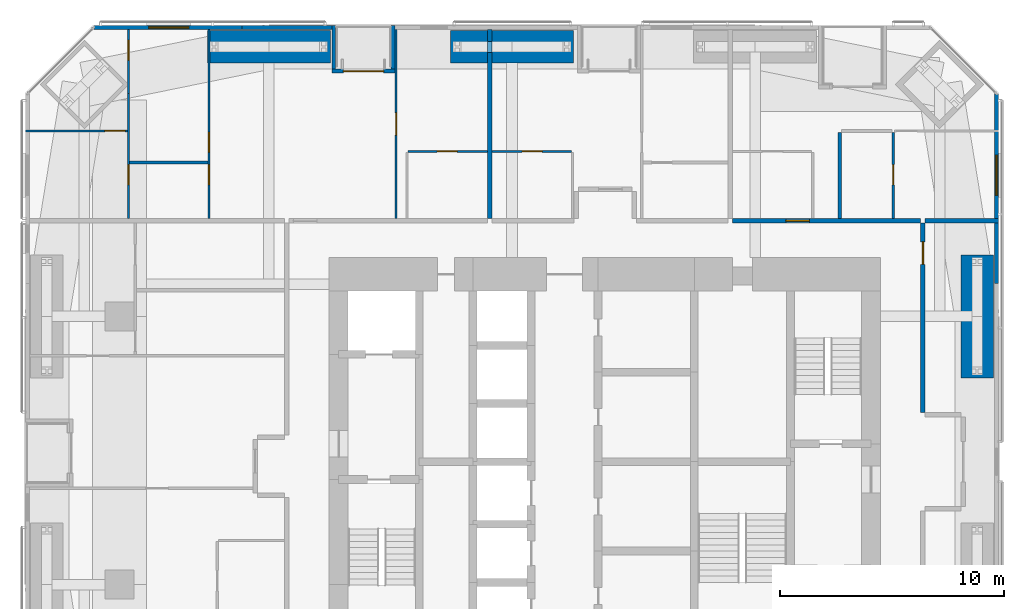
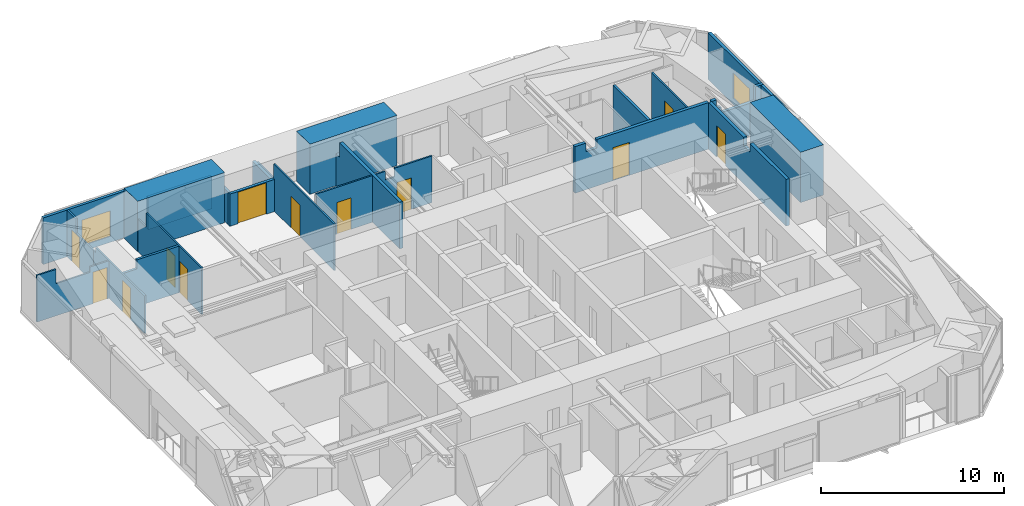
# One storey, part 21 of 23: 23 walls, 12 doors, 2 windows, 14 openings.
"""IFC4 building model written with IfcOpenShell, lengths in metres."""

import ifcopenshell
import ifcopenshell.guid

model = None  # the IFC model being written
_history = None  # IfcOwnerHistory: only IFC2X3 demands one
_inside = {}  # id of a spatial element -> (the spatial element, [elements in it])
_under = {}  # id of a project, library or spatial element -> (it, [spatial elements below it])
_declared = {}  # id of a project -> (the project, [libraries it declares])
_typed = {}  # id of a type object -> (the type object, [elements of that type])
_made_of = {}  # id of a material, layer set ... -> (it, [elements and type objects made of it])


def new_model(schema):
    """Start an empty IFC model of exactly this schema.

    Asked for "IFC4X3", IfcOpenShell would pick the latest addendum, in which some entities
    have other attributes; the version numbers below select the first issue.
    IFC2X3 requires an IfcOwnerHistory on every rooted entity: one is made here for all.
    """
    global model, _history
    if schema == "IFC4X3":
        model = ifcopenshell.file(schema_version=(4, 3, 0, 0))
    else:
        model = ifcopenshell.file(schema=schema)
    _inside.clear()
    _under.clear()
    _declared.clear()
    _typed.clear()
    _made_of.clear()
    _history = None
    if model.schema == "IFC2X3":
        org = make("IfcOrganization", Name="unknown")
        user = make(
            "IfcPersonAndOrganization",
            ThePerson=make("IfcPerson", FamilyName="unknown"),
            TheOrganization=org,
        )
        app = make(
            "IfcApplication",
            ApplicationDeveloper=org,
            Version="unknown",
            ApplicationFullName="unknown",
            ApplicationIdentifier="unknown",
        )
        _history = make(
            "IfcOwnerHistory",
            OwningUser=user,
            OwningApplication=app,
            ChangeAction="ADDED",
            CreationDate=0,
        )
    return model


def make(cls, **values):
    """One entity of the class cls with the attributes given. An attribute that is None is left unset."""
    return model.create_entity(
        cls, **{name: value for name, value in values.items() if value is not None}
    )


def rooted(cls, **values):
    """An entity with a GlobalId (a new one), such as an element, a storey or a relation."""
    return make(cls, GlobalId=ifcopenshell.guid.new(), OwnerHistory=_history, **values)


def si_unit(unit_type, name, prefix=None):
    """IfcSIUnit, for example si_unit("LENGTHUNIT", "METRE", prefix="MILLI")."""
    return make("IfcSIUnit", UnitType=unit_type, Prefix=prefix, Name=name)


def assignment(units):
    """IfcUnitAssignment: the units of a project."""
    return None if units is None else make("IfcUnitAssignment", Units=units)


def point(xyz):
    """IfcCartesianPoint."""
    return None if xyz is None else make("IfcCartesianPoint", Coordinates=xyz)


def direction(xyz):
    """IfcDirection."""
    return None if xyz is None else make("IfcDirection", DirectionRatios=xyz)


def frame(location, z_axis=None, x_axis=None):
    """IfcAxis2Placement3D, a coordinate frame: its origin and axes. An axis left out is left unset."""
    return make(
        "IfcAxis2Placement3D",
        Location=point(location),
        Axis=direction(z_axis),
        RefDirection=direction(x_axis),
    )


def frame_2d(location, x_axis=None):
    """IfcAxis2Placement2D, a coordinate frame in the plane: its origin and x axis."""
    return make(
        "IfcAxis2Placement2D", Location=point(location), RefDirection=direction(x_axis)
    )


def origin():
    """The frame at (0, 0, 0) with its axes left unset."""
    return frame((0.0, 0.0, 0.0))


def place(relative_to, where):
    """IfcLocalPlacement: puts the frame where relative to a parent placement (None: the world)."""
    return make(
        "IfcLocalPlacement", PlacementRelTo=relative_to, RelativePlacement=where
    )


def context(
    kind, dimensions, precision=None, world=None, true_north=None, identifier=None
):
    """IfcGeometricRepresentationContext, for example the 3D "Model" context."""
    return make(
        "IfcGeometricRepresentationContext",
        ContextIdentifier=identifier,
        ContextType=kind,
        CoordinateSpaceDimension=dimensions,
        Precision=precision,
        WorldCoordinateSystem=world,
        TrueNorth=true_north,
    )


def subcontext(parent, identifier, kind, view, scale=None):
    """IfcGeometricRepresentationSubContext, for example "Body" below "Model"."""
    return make(
        "IfcGeometricRepresentationSubContext",
        ContextIdentifier=identifier,
        ContextType=kind,
        ParentContext=parent,
        TargetScale=scale,
        TargetView=view,
    )


def project(units=None, contexts=None):
    """IfcProject with its units and contexts."""
    return rooted(
        "IfcProject",
        Name="project",
        RepresentationContexts=contexts,
        UnitsInContext=assignment(units),
    )


def spatial(cls, under=None, at=None, **own):
    """A site, building, storey or space (cls), placed at a placement, below another one or the project."""
    s = rooted(cls, ObjectPlacement=at, **own)
    if under is not None:
        _under.setdefault(under.id(), (under, []))[1].append(s)
    return s


def polyline(points):
    """IfcPolyline through the points."""
    return make("IfcPolyline", Points=[point(p) for p in points])


def profile(cls, at=None, kind="AREA", **sizes):
    """A parametric profile (cls). Its sizes go by their IFC names, for example OverallWidth=200.0."""
    return make(cls, ProfileType=kind, Position=at, **sizes)


def rectangle(**sizes):
    """IfcRectangleProfileDef."""
    return profile("IfcRectangleProfileDef", **sizes)


def outline(outer, holes=None, kind="AREA"):
    """IfcArbitraryClosedProfileDef: a profile drawn as a closed curve; with holes, ...WithVoids."""
    if holes is None:
        return make("IfcArbitraryClosedProfileDef", ProfileType=kind, OuterCurve=outer)
    return make(
        "IfcArbitraryProfileDefWithVoids",
        ProfileType=kind,
        OuterCurve=outer,
        InnerCurves=holes,
    )


def extrude(swept, where, along, depth):
    """IfcExtrudedAreaSolid: the profile swept, set in the frame where, extruded along a direction by depth."""
    return make(
        "IfcExtrudedAreaSolid",
        SweptArea=swept,
        Position=where,
        ExtrudedDirection=direction(along),
        Depth=depth,
    )


def shape(context_of_items, identifier, shape_type, items):
    """IfcShapeRepresentation: the items that make up one representation, for example the "Body"."""
    return make(
        "IfcShapeRepresentation",
        ContextOfItems=context_of_items,
        RepresentationIdentifier=identifier,
        RepresentationType=shape_type,
        Items=items,
    )


def material(Name=None, Category=None):
    """IfcMaterial."""
    return make("IfcMaterial", Name=Name, Category=Category)


def layer(
    of_material, thickness, ventilated=None, Name=None, Category=None, Priority=None
):
    """IfcMaterialLayer: one layer of a wall or slab, of a material (None: an air gap)."""
    return make(
        "IfcMaterialLayer",
        Material=of_material,
        LayerThickness=thickness,
        IsVentilated=ventilated,
        Name=Name,
        Category=Category,
        Priority=Priority,
    )


def layer_set(layers, Name=None):
    """IfcMaterialLayerSet."""
    return make("IfcMaterialLayerSet", MaterialLayers=layers, LayerSetName=Name)


def constituent(of_material, Name=None, Category=None, fraction=None):
    """IfcMaterialConstituent: one of the materials an element consists of."""
    return make(
        "IfcMaterialConstituent",
        Name=Name,
        Material=of_material,
        Fraction=fraction,
        Category=Category,
    )


def constituent_set(constituents=None, Name=None):
    """IfcMaterialConstituentSet."""
    return make(
        "IfcMaterialConstituentSet", Name=Name, MaterialConstituents=constituents
    )


def made_of(thing, what):
    """Note that an element or type object is made of a material, layer set ...; save() writes the relation."""
    if what is not None:
        _made_of.setdefault(what.id(), (what, []))[1].append(thing)
    return thing


def type_object(cls, material=None, **own):
    """A type object (cls), such as IfcWallType, which elements share."""
    return made_of(rooted(cls, **own), material)


def element(
    cls,
    number,
    at=None,
    inside=None,
    cuts=None,
    type_object=None,
    material=None,
    context=None,
    identifier="Body",
    shape_type=None,
    held_by="IfcProductDefinitionShape",
    body=None,
    shapes=None,
    **own,
):
    """One element of the class cls, such as IfcWall. Its Tag is "e" and its number.

    at: its placement. inside: the storey or other place that contains it. cuts: it is an
    opening in that element (IfcRelVoidsElement). A single representation is given by context,
    identifier, shape_type and body (its items); several are given by shapes. held_by: the class
    of the entity that holds the representations. save() writes the other relations.
    """
    e = rooted(cls, Tag="e%d" % number, ObjectPlacement=at, **own)
    if body is not None:
        shapes = [shape(context, identifier, shape_type, body)]
    if shapes is not None:
        e.Representation = make(held_by, Representations=shapes)
    if inside is not None:
        _inside.setdefault(inside.id(), (inside, []))[1].append(e)
    if cuts is not None:
        rooted(
            "IfcRelVoidsElement", RelatingBuildingElement=cuts, RelatedOpeningElement=e
        )
    if type_object is not None:
        _typed.setdefault(type_object.id(), (type_object, []))[1].append(e)
    return made_of(e, material)


def fill(opening, filler):
    """IfcRelFillsElement: the door or window that sits in an opening."""
    return rooted(
        "IfcRelFillsElement",
        RelatingOpeningElement=opening,
        RelatedBuildingElement=filler,
    )


def aggregate(whole, parts):
    """IfcRelAggregates: a whole, such as a stair, and the parts it consists of."""
    return rooted("IfcRelAggregates", RelatingObject=whole, RelatedObjects=parts)


def save(model, path):
    """Write the relations noted so far, then the file.

    IfcRelAggregates (storeys below a building ...), IfcRelContainedInSpatialStructure (elements
    in a storey), IfcRelDefinesByType, IfcRelAssociatesMaterial and IfcRelDeclares: one each for
    every whole, place, type object, material and project.
    """
    for whole, parts in _under.values():
        aggregate(whole, parts)
    for where, things in _inside.values():
        rooted(
            "IfcRelContainedInSpatialStructure",
            RelatedElements=things,
            RelatingStructure=where,
        )
    for kind, things in _typed.values():
        rooted("IfcRelDefinesByType", RelatedObjects=things, RelatingType=kind)
    for what, things in _made_of.values():
        rooted("IfcRelAssociatesMaterial", RelatedObjects=things, RelatingMaterial=what)
    for by, libraries in _declared.values():
        rooted("IfcRelDeclares", RelatingContext=by, RelatedDefinitions=libraries)
    model.write(path)


model = new_model("IFC4")

# Units and contexts
model_context = context("Model", 3, precision=1e-05, world=origin(), true_north=direction((0.0, 1.0)))
body_context = subcontext(model_context, "Body", "Model", "MODEL_VIEW")
ifc_project = project(units=[si_unit("LENGTHUNIT", "METRE"), si_unit("AREAUNIT", "SQUARE_METRE"), si_unit("VOLUMEUNIT", "CUBIC_METRE"), si_unit("PLANEANGLEUNIT", "RADIAN"), si_unit("MASSUNIT", "GRAM", prefix="KILO")], contexts=[model_context])

# Site, building, storey
site_placement = place(None, origin())
site = spatial("IfcSite", under=ifc_project, at=site_placement, CompositionType="ELEMENT")
building_placement = place(site_placement, origin())
building = spatial("IfcBuilding", under=site, at=building_placement, Name="Jalousie Tower", CompositionType="ELEMENT")
storey_placement = place(building_placement, frame((0.0, 0.0, 84.75)))
storey = spatial("IfcBuildingStorey", under=building, at=storey_placement, Name="L22", CompositionType="ELEMENT", Elevation=84.75)

# Walls
ifc_material_1 = material(Name="Concrete block ASTM C90", Category="concrete")
ifc_constituent_1 = constituent(ifc_material_1, Name="Body")
ifc_material_2 = material(Name="Render")
ifc_constituent_2 = constituent(ifc_material_2, Name="Finish")
ifc_constituent_set_1 = constituent_set(constituents=[ifc_constituent_1, ifc_constituent_2])
wall_type_1 = type_object("IfcWallType", Name="BATHROOM WALL 150", PredefinedType="PLUMBINGWALL", material=ifc_constituent_set_1)
wall_1_placement = place(storey_placement, frame((10.64990234375, 31.875, 0.0), z_axis=(0.0, 0.0, 1.0), x_axis=(1.0, 0.0, 0.0)))
element("IfcWall", 1, at=wall_1_placement, inside=storey, type_object=wall_type_1, Name="Bathroom Wall 150 L22", PredefinedType="PLUMBINGWALL", context=body_context, shape_type="SweptSolid", body=[
    extrude(outline(polyline([(0.0, 0.0), (3.5, 0.0), (3.5, 3.110107421875), (0.8349609375, 3.110107421875), (0.8349609375, 2.510009765625), (0.0, 2.510009765625), (0.0, 3.110107421875), (0.0, 0.0)])), frame((0.0, 0.074951171875, 0.0), z_axis=(0.0, -1.0, 0.0), x_axis=(1.0, 0.0, 0.0)), (0.0, 0.0, 1.0), 0.14990234375),
])
wall_2_placement = place(storey_placement, frame((42.39990234375, 33.213623046875, 0.0), z_axis=(0.0, 0.0, 1.0), x_axis=(0.0, -1.0, 0.0)))
element("IfcWall", 2, at=wall_2_placement, inside=storey, type_object=wall_type_1, Name="Bathroom Wall 150 L22", PredefinedType="PLUMBINGWALL", context=body_context, shape_type="SweptSolid", body=[
    extrude(rectangle(XDim=3.838623046875, YDim=0.14990234375, at=frame_2d((1.91943359375, 0.0))), origin(), (0.0, 0.0, 1.0), 3.110107421875),
])

# Wall, opening, door
ifc_material_3 = material(Name="Concrete block ASTM C90", Category="concrete")
ifc_constituent_3 = constituent(ifc_material_3, Name="Body")
ifc_material_4 = material(Name="Render")
ifc_constituent_4 = constituent(ifc_material_4, Name="Finish")
ifc_constituent_set_2 = constituent_set(constituents=[ifc_constituent_3, ifc_constituent_4])
wall_type_2 = type_object("IfcWallType", Name="CORRIDOR WALL 200", PredefinedType="PARTITIONING", material=ifc_constituent_set_2)
wall_3_placement = place(storey_placement, frame((37.60009765625, 29.27490234375, 0.0), z_axis=(0.0, 0.0, 1.0), x_axis=(1.0, 0.0, 0.0)))
wall_3 = element("IfcWall", 3, at=wall_3_placement, inside=storey, type_object=wall_type_2, Name="Corridor Wall 200 L22", PredefinedType="PARTITIONING", context=body_context, shape_type="SweptSolid", body=[
    extrude(outline(polyline([(0.0, 0.0), (8.4248046875, 0.0), (8.425048828125, 3.110107421875), (1.37109375, 3.110107421875), (1.37109375, 2.531005859375), (0.6787109375, 2.531005859375), (0.6787109375, 3.110107421875), (0.0, 3.110107421875), (0.0, 0.0)])), frame((0.0, 0.10009765625, 0.0), z_axis=(0.0, -1.0, 0.0), x_axis=(1.0, 0.0, 0.0)), (0.0, 0.0, 1.0), 0.199951171875),
])
opening_1_placement = place(wall_3_placement, frame((2.39990234375, 0.0, 0.0)))
opening_1 = element("IfcOpeningElement", 4, at=opening_1_placement, cuts=wall_3, Name="Opening D1", PredefinedType="OPENING", context=body_context, shape_type="SweptSolid", body=[
    extrude(rectangle(XDim=1.050048828125, YDim=2.199951171875, at=frame_2d((0.52490234375, 1.10009765625))), frame((0.0, 0.10986328125, 0.0), z_axis=(0.0, -1.0, 0.0), x_axis=(1.0, 0.0, 0.0)), (0.0, 0.0, 1.0), 0.219970703125),
])
ifc_material_5 = material(Name="Timber fire door", Category="wood")
door_type_1 = type_object("IfcDoorType", Name="APARTMENT ENTRANCE DOOR 1050", OperationType="SINGLE_SWING_LEFT", PredefinedType="DOOR", material=ifc_material_5)
door_1_placement = place(opening_1_placement, origin())
door_1 = element("IfcDoor", 5, at=door_1_placement, inside=storey, type_object=door_type_1, Name="Apartment 2206 entrance", OperationType="SINGLE_SWING_RIGHT", OverallHeight=2.199951171875, OverallWidth=1.050048828125, PredefinedType="DOOR", context=body_context, shape_type="SweptSolid", body=[
    extrude(rectangle(XDim=1.050048828125, YDim=2.199951171875, at=frame_2d((0.52490234375, 1.10009765625))), frame((0.0, 0.02490234375, 0.0), z_axis=(0.0, -1.0, 0.0), x_axis=(1.0, 0.0, 0.0)), (0.0, 0.0, 1.0), 0.050048828125),
])
fill(opening_1, door_1)

wall_4_placement = place(storey_placement, frame((46.125, 20.699951171875, 0.0), z_axis=(0.0, 0.0, 1.0), x_axis=(0.0, 1.0, 0.0)))
wall_4 = element("IfcWall", 6, at=wall_4_placement, inside=storey, type_object=wall_type_2, Name="Corridor Wall 200 L22", PredefinedType="PARTITIONING", context=body_context, shape_type="SweptSolid", body=[
    extrude(outline(polyline([(0.0, 0.0), (8.47509765625, 0.0), (8.47509765625, 3.110107421875), (4.646240234375, 3.110107421875), (4.646240234375, 2.531005859375), (3.953857421875, 2.531005859375), (3.953857421875, 3.110107421875), (0.0, 3.110107421875), (0.0, 0.0)])), frame((0.0, 0.10009765625, 0.0), z_axis=(0.0, -1.0, 0.0), x_axis=(1.0, 0.0, 0.0)), (0.0, 0.0, 1.0), 0.199951171875),
])
opening_2_placement = place(wall_4_placement, frame((6.625, 0.0, 0.0)))
opening_2 = element("IfcOpeningElement", 7, at=opening_2_placement, cuts=wall_4, Name="Opening D21", PredefinedType="OPENING", context=body_context, shape_type="SweptSolid", body=[
    extrude(rectangle(XDim=1.0, YDim=2.10009765625, at=frame_2d((0.5, 1.050048828125))), frame((0.0, 0.10986328125, 0.0), z_axis=(0.0, -1.0, 0.0), x_axis=(1.0, 0.0, 0.0)), (0.0, 0.0, 1.0), 0.219970703125),
])
ifc_material_6 = material(Name="Timber fire door", Category="wood")
door_type_2 = type_object("IfcDoorType", Name="CORRIDOR DOOR 1000", OperationType="SINGLE_SWING_LEFT", PredefinedType="DOOR", material=ifc_material_6)
door_2_placement = place(opening_2_placement, frame((1.0, 0.0, 0.0), z_axis=(0.0, 0.0, 1.0), x_axis=(-1.0, 0.0, 0.0)))
door_2 = element("IfcDoor", 8, at=door_2_placement, inside=storey, type_object=door_type_2, Name="Lounge second door", OperationType="SINGLE_SWING_LEFT", OverallHeight=2.10009765625, OverallWidth=1.0, PredefinedType="DOOR", context=body_context, shape_type="SweptSolid", body=[
    extrude(rectangle(XDim=1.0, YDim=2.10009765625, at=frame_2d((0.5, 1.050048828125))), frame((0.0, 0.02490234375, 0.0), z_axis=(0.0, -1.0, 0.0), x_axis=(1.0, 0.0, 0.0)), (0.0, 0.0, 1.0), 0.050048828125),
])
fill(opening_2, door_2)

# Wall, opening, window
ifc_material_7 = material(Name="Concrete f'c 40 MPa", Category="concrete")
ifc_constituent_5 = constituent(ifc_material_7, Name="Body")
ifc_material_8 = material(Name="Render, pastel sea green")
ifc_constituent_6 = constituent(ifc_material_8, Name="Finish")
ifc_constituent_set_3 = constituent_set(constituents=[ifc_constituent_5, ifc_constituent_6])
wall_type_3 = type_object("IfcWallType", Name="EXTERNAL WALL 175 SEA GREEN RENDER", PredefinedType="SOLIDWALL", material=ifc_constituent_set_3)
wall_5_placement = place(storey_placement, frame((49.41259765625, 26.468017578125, 0.0), z_axis=(0.0, 0.0, 1.0), x_axis=(0.0, 1.0, 0.0)))
wall_5 = element("IfcWall", 9, at=wall_5_placement, inside=storey, type_object=wall_type_3, Name="External Wall 175 Sea Green Render L22-C", PredefinedType="SOLIDWALL", context=body_context, shape_type="SweptSolid", body=[
    extrude(rectangle(XDim=8.480712890625, YDim=0.175048828125, at=frame_2d((4.240234375, 0.0))), origin(), (0.0, 0.0, 1.0), 3.110107421875),
])
opening_3_placement = place(wall_5_placement, frame((3.938720703125, 0.0, 0.39990234375)))
opening_3 = element("IfcOpeningElement", 10, at=opening_3_placement, cuts=wall_5, Name="Opening W-BED170", PredefinedType="OPENING", context=body_context, shape_type="SweptSolid", body=[
    extrude(rectangle(XDim=1.800048828125, YDim=1.699951171875, at=frame_2d((0.89990234375, 0.85009765625))), frame((0.0, 0.097412109375, 0.0), z_axis=(0.0, -1.0, 0.0), x_axis=(1.0, 0.0, 0.0)), (0.0, 0.0, 1.0), 0.195068359375),
])
ifc_material_9 = material(Name="Aluminium frame, impact-rated glazing", Category="aluminium")
window_type = type_object("IfcWindowType", Name="WINDOW BED 1800x1700", PartitioningType="SINGLE_PANEL", PredefinedType="WINDOW", material=ifc_material_9)
window_1_placement = place(opening_3_placement, origin())
window_1 = element("IfcWindow", 11, at=window_1_placement, inside=storey, type_object=window_type, Name="Apartment 2206 bedroom 1 window", OverallHeight=1.699951171875, OverallWidth=1.800048828125, PartitioningType="SINGLE_PANEL", PredefinedType="WINDOW", context=body_context, shape_type="SweptSolid", body=[
    extrude(rectangle(XDim=1.800048828125, YDim=1.699951171875, at=frame_2d((0.89990234375, 0.85009765625))), frame((0.0, 0.030029296875, 0.0), z_axis=(0.0, -1.0, 0.0), x_axis=(1.0, 0.0, 0.0)), (0.0, 0.0, 1.0), 0.06005859375),
])
fill(opening_3, window_1)

# Wall
wall_6_placement = place(storey_placement, frame((19.692138671875, 37.91259765625, 0.0), z_axis=(0.0, 0.0, 1.0), x_axis=(-1.0, 0.0, 0.0)))
element("IfcWall", 12, at=wall_6_placement, inside=storey, type_object=wall_type_3, Name="External Wall 175 Sea Green Render L22-A", PredefinedType="SOLIDWALL", context=body_context, shape_type="SweptSolid", body=[
    extrude(rectangle(XDim=4.021240234375, YDim=0.175048828125, at=frame_2d((2.0107421875, 0.0))), origin(), (0.0, 0.0, 1.0), 2.14990234375),
])

# Wall, opening, window
wall_7_placement = place(storey_placement, frame((15.6708984375, 37.91259765625, 0.0), z_axis=(0.0, 0.0, 1.0), x_axis=(-1.0, 0.0, 0.0)))
wall_7 = element("IfcWall", 13, at=wall_7_placement, inside=storey, type_object=wall_type_3, Name="External Wall 175 Sea Green Render L22-B", PredefinedType="SOLIDWALL", context=body_context, shape_type="SweptSolid", body=[
    extrude(rectangle(XDim=6.61962890625, YDim=0.175048828125, at=frame_2d((3.309814453125, 0.0))), origin(), (0.0, 0.0, 1.0), 3.110107421875),
])
opening_4_placement = place(wall_7_placement, frame((2.370849609375, 0.0, 0.39990234375)))
opening_4 = element("IfcOpeningElement", 14, at=opening_4_placement, cuts=wall_7, Name="Opening W-BED170", PredefinedType="OPENING", context=body_context, shape_type="SweptSolid", body=[
    extrude(rectangle(XDim=1.800048828125, YDim=1.699951171875, at=frame_2d((0.89990234375, 0.85009765625))), frame((0.0, 0.097412109375, 0.0), z_axis=(0.0, -1.0, 0.0), x_axis=(1.0, 0.0, 0.0)), (0.0, 0.0, 1.0), 0.195068359375),
])
window_2_placement = place(opening_4_placement, origin())
window_2 = element("IfcWindow", 15, at=window_2_placement, inside=storey, type_object=window_type, Name="Apartment 2204 bedroom 2 window", OverallHeight=1.699951171875, OverallWidth=1.800048828125, PartitioningType="SINGLE_PANEL", PredefinedType="WINDOW", context=body_context, shape_type="SweptSolid", body=[
    extrude(rectangle(XDim=1.800048828125, YDim=1.699951171875, at=frame_2d((0.89990234375, 0.85009765625))), frame((0.0, 0.030029296875, 0.0), z_axis=(0.0, -1.0, 0.0), x_axis=(1.0, 0.0, 0.0)), (0.0, 0.0, 1.0), 0.06005859375),
])
fill(opening_4, window_2)

# Wall, opening, door
wall_8_placement = place(storey_placement, frame((22.51708984375, 35.96240234375, 0.0), z_axis=(0.0, 0.0, 1.0), x_axis=(-1.0, 0.0, 0.0)))
wall_8 = element("IfcWall", 16, at=wall_8_placement, inside=storey, type_object=wall_type_3, Name="External Wall 175 Sea Green Render L22", PredefinedType="SOLIDWALL", context=body_context, shape_type="SweptSolid", body=[
    extrude(rectangle(XDim=2.824951171875, YDim=0.175048828125, at=frame_2d((1.41259765625, 0.0))), origin(), (0.0, 0.0, 1.0), 2.14990234375),
])
opening_5_placement = place(wall_8_placement, frame((0.512451171875, 0.0, 0.0)))
opening_5 = element("IfcOpeningElement", 17, at=opening_5_placement, cuts=wall_8, Name="Opening D-BAL21", PredefinedType="OPENING", context=body_context, shape_type="SweptSolid", body=[
    extrude(rectangle(XDim=1.800048828125, YDim=2.10009765625, at=frame_2d((0.89990234375, 1.050048828125))), frame((0.0, 0.097412109375, 0.0), z_axis=(0.0, -1.0, 0.0), x_axis=(1.0, 0.0, 0.0)), (0.0, 0.0, 1.0), 0.195068359375),
])
ifc_material_10 = material(Name="Aluminium frame, impact-rated glazing", Category="aluminium")
door_type_3 = type_object("IfcDoorType", Name="BALCONY DOOR 1800x2100", OperationType="SLIDING_TO_LEFT", PredefinedType="DOOR", material=ifc_material_10)
door_3_placement = place(opening_5_placement, origin())
door_3 = element("IfcDoor", 18, at=door_3_placement, inside=storey, type_object=door_type_3, Name="Apartment 2204 living room loggia door", OperationType="SLIDING_TO_LEFT", OverallHeight=2.10009765625, OverallWidth=1.800048828125, PredefinedType="DOOR", context=body_context, shape_type="SweptSolid", body=[
    extrude(rectangle(XDim=1.800048828125, YDim=2.10009765625, at=frame_2d((0.89990234375, 1.050048828125))), frame((0.0, 0.02490234375, 0.0), z_axis=(0.0, -1.0, 0.0), x_axis=(1.0, 0.0, 0.0)), (0.0, 0.0, 1.0), 0.050048828125),
])
fill(opening_5, door_3)

# Walls
for number, where, z_axis, x_axis, name in (
    (19, (22.4296875, 38.0, 0.0), (0.0, 0.0, 1.0), (0.0, -1.0, 0.0), "External Wall 175 Sea Green Render L22"),
    (20, (19.77978515625, 38.0, 0.0), (0.0, 0.0, 1.0), (0.0, -1.0, 0.0), "External Wall 175 Sea Green Render L22"),
):
    element("IfcWall", number, at=place(storey_placement, frame(where, z_axis=z_axis, x_axis=x_axis)), inside=storey, type_object=wall_type_3, Name=name, PredefinedType="SOLIDWALL", context=body_context, shape_type="SweptSolid", body=[
        extrude(rectangle(XDim=1.949951171875, YDim=0.175048828125, at=frame_2d((0.97509765625, 0.0))), origin(), (0.0, 0.0, 1.0), 2.14990234375),
    ])

# Wall, opening, door
ifc_material_11 = material(Name="Gypsum board", Category="gypsum")
ifc_constituent_7 = constituent(ifc_material_11, Name="Body")
ifc_material_12 = material(Name="Light-gauge steel studs ASTM A653 SS Grade 33", Category="steel")
ifc_constituent_8 = constituent(ifc_material_12, Name="Framing")
ifc_constituent_set_4 = constituent_set(constituents=[ifc_constituent_7, ifc_constituent_8])
wall_type_4 = type_object("IfcWallType", Name="PARTITION 100", PredefinedType="PARTITIONING", material=ifc_constituent_set_4)
wall_9_placement = place(storey_placement, frame((10.60009765625, 37.824951171875, 0.0), z_axis=(0.0, 0.0, 1.0), x_axis=(0.0, -1.0, 0.0)))
wall_9 = element("IfcWall", 21, at=wall_9_placement, inside=storey, type_object=wall_type_4, Name="Partition 100 L22-A", PredefinedType="PARTITIONING", context=body_context, shape_type="SweptSolid", body=[
    extrude(outline(polyline([(0.97314453125, 2.14990234375), (0.97314453125, 3.110107421875), (0.0, 3.110107421875), (0.0, 0.0), (2.286376953125, 0.0), (2.286376953125, 0.05078125), (2.536376953125, 0.05078125), (2.536376953125, 0.0), (2.86767578125, 0.0), (2.86767578125, 2.14990234375), (0.97314453125, 2.14990234375)])), frame((0.0, 0.050048828125, 0.0), z_axis=(0.0, -1.0, 0.0), x_axis=(1.0, 0.0, 0.0)), (0.0, 0.0, 1.0), 0.10009765625),
])
opening_6_placement = place(wall_9_placement, frame((0.486328125, 0.0, 0.0)))
opening_6 = element("IfcOpeningElement", 22, at=opening_6_placement, cuts=wall_9, Name="Opening D2", PredefinedType="OPENING", context=body_context, shape_type="SweptSolid", body=[
    extrude(rectangle(XDim=0.89990234375, YDim=2.10009765625, at=frame_2d((0.449951171875, 1.050048828125))), frame((0.0, 0.06005859375, 0.0), z_axis=(0.0, -1.0, 0.0), x_axis=(1.0, 0.0, 0.0)), (0.0, 0.0, 1.0), 0.1201171875),
])
ifc_material_13 = material(Name="Timber door", Category="wood")
door_type_4 = type_object("IfcDoorType", Name="BEDROOM DOOR 900", OperationType="SINGLE_SWING_LEFT", PredefinedType="DOOR", material=ifc_material_13)
door_4_placement = place(opening_6_placement, origin())
door_4 = element("IfcDoor", 23, at=door_4_placement, inside=storey, type_object=door_type_4, Name="Apartment 2204 bedroom 1 door", OperationType="SINGLE_SWING_LEFT", OverallHeight=2.10009765625, OverallWidth=0.89990234375, PredefinedType="DOOR", context=body_context, shape_type="SweptSolid", body=[
    extrude(rectangle(XDim=0.89990234375, YDim=2.10009765625, at=frame_2d((0.449951171875, 1.050048828125))), frame((0.0, 0.02490234375, 0.0), z_axis=(0.0, -1.0, 0.0), x_axis=(1.0, 0.0, 0.0)), (0.0, 0.0, 1.0), 0.050048828125),
])
fill(opening_6, door_4)

wall_10_placement = place(storey_placement, frame((10.60009765625, 34.957275390625, 0.0), z_axis=(0.0, 0.0, 1.0), x_axis=(0.0, -1.0, 0.0)))
wall_10 = element("IfcWall", 24, at=wall_10_placement, inside=storey, type_object=wall_type_4, Name="Partition 100 L22-B", PredefinedType="PARTITIONING", context=body_context, shape_type="SweptSolid", body=[
    extrude(outline(polyline([(0.0, 0.0), (5.582275390625, 0.0), (5.582275390625, 2.510009765625), (0.26904296875, 2.510009765625), (0.26904296875, 2.14990234375), (0.0, 2.14990234375), (0.0, 0.0)])), frame((0.0, 0.050048828125, 0.0), z_axis=(0.0, -1.0, 0.0), x_axis=(1.0, 0.0, 0.0)), (0.0, 0.0, 1.0), 0.10009765625),
])
opening_7_placement = place(wall_10_placement, frame((3.17529296875, 0.0, 0.0)))
opening_7 = element("IfcOpeningElement", 25, at=opening_7_placement, cuts=wall_10, Name="Opening D3", PredefinedType="OPENING", context=body_context, shape_type="SweptSolid", body=[
    extrude(rectangle(XDim=0.89990234375, YDim=2.10009765625, at=frame_2d((0.449951171875, 1.050048828125))), frame((0.0, 0.06005859375, 0.0), z_axis=(0.0, -1.0, 0.0), x_axis=(1.0, 0.0, 0.0)), (0.0, 0.0, 1.0), 0.1201171875),
])
ifc_material_14 = material(Name="Timber door", Category="wood")
door_type_5 = type_object("IfcDoorType", Name="BATHROOM DOOR 900", OperationType="SINGLE_SWING_LEFT", PredefinedType="DOOR", material=ifc_material_14)
door_5_placement = place(opening_7_placement, origin())
door_5 = element("IfcDoor", 26, at=door_5_placement, inside=storey, type_object=door_type_5, Name="Apartment 2204 bedroom 1 bathroom door", OperationType="SINGLE_SWING_LEFT", OverallHeight=2.10009765625, OverallWidth=0.89990234375, PredefinedType="DOOR", context=body_context, shape_type="SweptSolid", body=[
    extrude(rectangle(XDim=0.89990234375, YDim=2.10009765625, at=frame_2d((0.449951171875, 1.050048828125))), frame((0.0, 0.02490234375, 0.0), z_axis=(0.0, -1.0, 0.0), x_axis=(1.0, 0.0, 0.0)), (0.0, 0.0, 1.0), 0.050048828125),
])
fill(opening_7, door_5)

# Wall, openings, doors
wall_11_placement = place(storey_placement, frame((14.199951171875, 37.824951171875, 0.0), z_axis=(0.0, 0.0, 1.0), x_axis=(0.0, -1.0, 0.0)))
wall_11 = element("IfcWall", 27, at=wall_11_placement, inside=storey, type_object=wall_type_4, Name="Partition 100 L22", PredefinedType="PARTITIONING", context=body_context, shape_type="SweptSolid", body=[
    extrude(outline(polyline([(0.0, 0.0), (8.449951171875, 0.0), (8.449951171875, 3.110107421875), (2.40234375, 3.110107421875), (2.40234375, 2.14990234375), (0.23876953125, 2.14990234375), (0.23876953125, 3.110107421875), (0.0, 3.110107421875), (0.0, 0.0)])), frame((0.0, 0.050048828125, 0.0), z_axis=(0.0, -1.0, 0.0), x_axis=(1.0, 0.0, 0.0)), (0.0, 0.0, 1.0), 0.10009765625),
])
opening_8_placement = place(wall_11_placement, frame((4.60009765625, 0.0, 0.0)))
opening_8 = element("IfcOpeningElement", 28, at=opening_8_placement, cuts=wall_11, Name="Opening D2", PredefinedType="OPENING", context=body_context, shape_type="SweptSolid", body=[
    extrude(rectangle(XDim=0.89990234375, YDim=2.10009765625, at=frame_2d((0.449951171875, 1.050048828125))), frame((0.0, 0.06005859375, 0.0), z_axis=(0.0, -1.0, 0.0), x_axis=(1.0, 0.0, 0.0)), (0.0, 0.0, 1.0), 0.1201171875),
])
opening_9_placement = place(wall_11_placement, frame((6.050048828125, 0.0, 0.0)))
opening_9 = element("IfcOpeningElement", 29, at=opening_9_placement, cuts=wall_11, Name="Opening D7", PredefinedType="OPENING", context=body_context, shape_type="SweptSolid", body=[
    extrude(rectangle(XDim=0.89990234375, YDim=2.10009765625, at=frame_2d((0.449951171875, 1.050048828125))), frame((0.0, 0.06005859375, 0.0), z_axis=(0.0, -1.0, 0.0), x_axis=(1.0, 0.0, 0.0)), (0.0, 0.0, 1.0), 0.1201171875),
])
door_6_placement = place(opening_8_placement, frame((0.89990234375, 0.0, 0.0), z_axis=(0.0, 0.0, 1.0), x_axis=(-1.0, 0.0, 0.0)))
door_6 = element("IfcDoor", 30, at=door_6_placement, inside=storey, type_object=door_type_4, Name="Apartment 2204 bedroom 2 door", OperationType="SINGLE_SWING_LEFT", OverallHeight=2.10009765625, OverallWidth=0.89990234375, PredefinedType="DOOR", context=body_context, shape_type="SweptSolid", body=[
    extrude(rectangle(XDim=0.89990234375, YDim=2.10009765625, at=frame_2d((0.449951171875, 1.050048828125))), frame((0.0, 0.02490234375, 0.0), z_axis=(0.0, -1.0, 0.0), x_axis=(1.0, 0.0, 0.0)), (0.0, 0.0, 1.0), 0.050048828125),
])
fill(opening_8, door_6)
ifc_material_15 = material(Name="Timber door", Category="wood")
door_type_6 = type_object("IfcDoorType", Name="INTERNAL DOOR 900", OperationType="SINGLE_SWING_LEFT", PredefinedType="DOOR", material=ifc_material_15)
door_7_placement = place(opening_9_placement, frame((0.89990234375, 0.0, 0.0), z_axis=(0.0, 0.0, 1.0), x_axis=(-1.0, 0.0, 0.0)))
door_7 = element("IfcDoor", 31, at=door_7_placement, inside=storey, type_object=door_type_6, Name="Apartment 2204 bathroom door", OperationType="SINGLE_SWING_RIGHT", OverallHeight=2.10009765625, OverallWidth=0.89990234375, PredefinedType="DOOR", context=body_context, shape_type="SweptSolid", body=[
    extrude(rectangle(XDim=0.89990234375, YDim=2.10009765625, at=frame_2d((0.449951171875, 1.050048828125))), frame((0.0, 0.02490234375, 0.0), z_axis=(0.0, -1.0, 0.0), x_axis=(1.0, 0.0, 0.0)), (0.0, 0.0, 1.0), 0.050048828125),
])
fill(opening_9, door_7)

# Wall, opening, door
wall_12_placement = place(storey_placement, frame((6.0, 33.288818359375, 0.0), z_axis=(0.0, 0.0, 1.0), x_axis=(1.0, 0.0, 0.0)))
wall_12 = element("IfcWall", 32, at=wall_12_placement, inside=storey, type_object=wall_type_4, Name="Partition 100 L22", PredefinedType="PARTITIONING", context=body_context, shape_type="SweptSolid", body=[
    extrude(outline(polyline([(0.0, 0.0), (4.550048828125, 0.0), (4.550048828125, 3.110107421875), (4.550048828125, 2.510009765625), (3.367919921875, 2.510009765625), (3.367919921875, 2.14990234375), (1.22021484375, 2.14990234375), (1.22021484375, 3.110107421875), (0.0, 3.110107421875), (0.0, 0.0)])), frame((0.0, 0.050048828125, 0.0), z_axis=(0.0, -1.0, 0.0), x_axis=(1.0, 0.0, 0.0)), (0.0, 0.0, 1.0), 0.10009765625),
])
opening_10_placement = place(wall_12_placement, frame((3.550048828125, 0.0, 0.0)))
opening_10 = element("IfcOpeningElement", 33, at=opening_10_placement, cuts=wall_12, Name="Opening D7", PredefinedType="OPENING", context=body_context, shape_type="SweptSolid", body=[
    extrude(rectangle(XDim=0.89990234375, YDim=2.10009765625, at=frame_2d((0.449951171875, 1.050048828125))), frame((0.0, 0.06005859375, 0.0), z_axis=(0.0, -1.0, 0.0), x_axis=(1.0, 0.0, 0.0)), (0.0, 0.0, 1.0), 0.1201171875),
])
door_8_placement = place(opening_10_placement, frame((0.89990234375, 0.0, 0.0), z_axis=(0.0, 0.0, 1.0), x_axis=(-1.0, 0.0, 0.0)))
door_8 = element("IfcDoor", 34, at=door_8_placement, inside=storey, type_object=door_type_6, Name="Apartment 2204 bedroom 1 dressing hall door", OperationType="SINGLE_SWING_LEFT", OverallHeight=2.10009765625, OverallWidth=0.89990234375, PredefinedType="DOOR", context=body_context, shape_type="SweptSolid", body=[
    extrude(rectangle(XDim=0.89990234375, YDim=2.10009765625, at=frame_2d((0.449951171875, 1.050048828125))), frame((0.0, 0.02490234375, 0.0), z_axis=(0.0, -1.0, 0.0), x_axis=(1.0, 0.0, 0.0)), (0.0, 0.0, 1.0), 0.050048828125),
])
fill(opening_10, door_8)

wall_13_placement = place(storey_placement, frame((23.10009765625, 32.375, 0.0), z_axis=(0.0, 0.0, 1.0), x_axis=(1.0, 0.0, 0.0)))
wall_13 = element("IfcWall", 35, at=wall_13_placement, inside=storey, type_object=wall_type_4, Name="Partition 100 L22", PredefinedType="PARTITIONING", context=body_context, shape_type="SweptSolid", body=[
    extrude(rectangle(XDim=3.5498046875, YDim=0.10009765625, at=frame_2d((1.77490234375, 0.0))), origin(), (0.0, 0.0, 1.0), 3.110107421875),
])
opening_11_placement = place(wall_13_placement, frame((1.300048828125, 0.0, 0.0)))
opening_11 = element("IfcOpeningElement", 36, at=opening_11_placement, cuts=wall_13, Name="Opening D7", PredefinedType="OPENING", context=body_context, shape_type="SweptSolid", body=[
    extrude(rectangle(XDim=0.89990234375, YDim=2.10009765625, at=frame_2d((0.449951171875, 1.050048828125))), frame((0.0, 0.06005859375, 0.0), z_axis=(0.0, -1.0, 0.0), x_axis=(1.0, 0.0, 0.0)), (0.0, 0.0, 1.0), 0.1201171875),
])
door_9_placement = place(opening_11_placement, origin())
door_9 = element("IfcDoor", 37, at=door_9_placement, inside=storey, type_object=door_type_6, Name="Apartment 2204 kitchen door", OperationType="SINGLE_SWING_RIGHT", OverallHeight=2.10009765625, OverallWidth=0.89990234375, PredefinedType="DOOR", context=body_context, shape_type="SweptSolid", body=[
    extrude(rectangle(XDim=0.89990234375, YDim=2.10009765625, at=frame_2d((0.449951171875, 1.050048828125))), frame((0.0, 0.02490234375, 0.0), z_axis=(0.0, -1.0, 0.0), x_axis=(1.0, 0.0, 0.0)), (0.0, 0.0, 1.0), 0.050048828125),
])
fill(opening_11, door_9)

wall_14_placement = place(storey_placement, frame((22.567138671875, 37.824951171875, 0.0), z_axis=(0.0, 0.0, 1.0), x_axis=(0.0, -1.0, 0.0)))
wall_14 = element("IfcWall", 38, at=wall_14_placement, inside=storey, type_object=wall_type_4, Name="Partition 100 L22", PredefinedType="PARTITIONING", context=body_context, shape_type="SweptSolid", body=[
    extrude(outline(polyline([(0.0, 0.0), (8.449951171875, 0.0), (8.449951171875, 3.110107421875), (1.8349609375, 3.110107421875), (1.8349609375, 2.14990234375), (0.0, 2.14990234375), (0.0, 3.110107421875), (0.0, 0.0)])), frame((0.0, 0.050048828125, 0.0), z_axis=(0.0, -1.0, 0.0), x_axis=(1.0, 0.0, 0.0)), (0.0, 0.0, 1.0), 0.10009765625),
])
opening_12_placement = place(wall_14_placement, frame((3.72509765625, 0.0, 0.0)))
opening_12 = element("IfcOpeningElement", 39, at=opening_12_placement, cuts=wall_14, Name="Opening D6", PredefinedType="OPENING", context=body_context, shape_type="SweptSolid", body=[
    extrude(rectangle(XDim=1.0, YDim=2.10009765625, at=frame_2d((0.5, 1.050048828125))), frame((0.0, 0.06005859375, 0.0), z_axis=(0.0, -1.0, 0.0), x_axis=(1.0, 0.0, 0.0)), (0.0, 0.0, 1.0), 0.1201171875),
])
ifc_material_16 = material(Name="Timber door", Category="wood")
door_type_7 = type_object("IfcDoorType", Name="INTERNAL DOOR 1000", OperationType="SINGLE_SWING_LEFT", PredefinedType="DOOR", material=ifc_material_16)
door_10_placement = place(opening_12_placement, origin())
door_10 = element("IfcDoor", 40, at=door_10_placement, inside=storey, type_object=door_type_7, Name="Apartment 2204 dining room door", OperationType="SINGLE_SWING_LEFT", OverallHeight=2.10009765625, OverallWidth=1.0, PredefinedType="DOOR", context=body_context, shape_type="SweptSolid", body=[
    extrude(rectangle(XDim=1.0, YDim=2.10009765625, at=frame_2d((0.5, 1.050048828125))), frame((0.0, 0.02490234375, 0.0), z_axis=(0.0, -1.0, 0.0), x_axis=(1.0, 0.0, 0.0)), (0.0, 0.0, 1.0), 0.050048828125),
])
fill(opening_12, door_10)

wall_15_placement = place(storey_placement, frame((26.85009765625, 32.375, 0.0), z_axis=(0.0, 0.0, 1.0), x_axis=(1.0, 0.0, 0.0)))
wall_15 = element("IfcWall", 41, at=wall_15_placement, inside=storey, type_object=wall_type_4, Name="Partition 100 L22", PredefinedType="PARTITIONING", context=body_context, shape_type="SweptSolid", body=[
    extrude(outline(polyline([(0.0, 0.0), (3.5498046875, 0.0), (3.550048828125, 3.110107421875), (1.1962890625, 3.110107421875), (1.1962890625, 2.531005859375), (0.603759765625, 2.531005859375), (0.603759765625, 3.110107421875), (0.0, 3.110107421875), (0.0, 0.0)])), frame((0.0, 0.050048828125, 0.0), z_axis=(0.0, -1.0, 0.0), x_axis=(1.0, 0.0, 0.0)), (0.0, 0.0, 1.0), 0.10009765625),
])
opening_13_placement = place(wall_15_placement, frame((1.35009765625, 0.0, 0.0)))
opening_13 = element("IfcOpeningElement", 42, at=opening_13_placement, cuts=wall_15, Name="Opening D7", PredefinedType="OPENING", context=body_context, shape_type="SweptSolid", body=[
    extrude(rectangle(XDim=0.89990234375, YDim=2.10009765625, at=frame_2d((0.449951171875, 1.050048828125))), frame((0.0, 0.06005859375, 0.0), z_axis=(0.0, -1.0, 0.0), x_axis=(1.0, 0.0, 0.0)), (0.0, 0.0, 1.0), 0.1201171875),
])
door_11_placement = place(opening_13_placement, origin())
door_11 = element("IfcDoor", 43, at=door_11_placement, inside=storey, type_object=door_type_6, Name="Apartment 2205 kitchen door", OperationType="SINGLE_SWING_LEFT", OverallHeight=2.10009765625, OverallWidth=0.89990234375, PredefinedType="DOOR", context=body_context, shape_type="SweptSolid", body=[
    extrude(rectangle(XDim=0.89990234375, YDim=2.10009765625, at=frame_2d((0.449951171875, 1.050048828125))), frame((0.0, 0.02490234375, 0.0), z_axis=(0.0, -1.0, 0.0), x_axis=(1.0, 0.0, 0.0)), (0.0, 0.0, 1.0), 0.050048828125),
])
fill(opening_13, door_11)

wall_16_placement = place(storey_placement, frame((44.800048828125, 33.213623046875, 0.0), z_axis=(0.0, 0.0, 1.0), x_axis=(0.0, -1.0, 0.0)))
wall_16 = element("IfcWall", 44, at=wall_16_placement, inside=storey, type_object=wall_type_4, Name="Partition 100 L22", PredefinedType="PARTITIONING", context=body_context, shape_type="SweptSolid", body=[
    extrude(rectangle(XDim=3.838623046875, YDim=0.10009765625, at=frame_2d((1.91943359375, 0.0))), origin(), (0.0, 0.0, 1.0), 3.110107421875),
])
opening_14_placement = place(wall_16_placement, frame((1.431884765625, 0.0, 0.0)))
opening_14 = element("IfcOpeningElement", 45, at=opening_14_placement, cuts=wall_16, Name="Opening D3", PredefinedType="OPENING", context=body_context, shape_type="SweptSolid", body=[
    extrude(rectangle(XDim=0.89990234375, YDim=2.10009765625, at=frame_2d((0.449951171875, 1.050048828125))), frame((0.0, 0.06005859375, 0.0), z_axis=(0.0, -1.0, 0.0), x_axis=(1.0, 0.0, 0.0)), (0.0, 0.0, 1.0), 0.1201171875),
])
door_12_placement = place(opening_14_placement, frame((0.89990234375, 0.0, 0.0), z_axis=(0.0, 0.0, 1.0), x_axis=(-1.0, 0.0, 0.0)))
door_12 = element("IfcDoor", 46, at=door_12_placement, inside=storey, type_object=door_type_5, Name="Apartment 2206 bedroom 1 bathroom door", OperationType="SINGLE_SWING_RIGHT", OverallHeight=2.10009765625, OverallWidth=0.89990234375, PredefinedType="DOOR", context=body_context, shape_type="SweptSolid", body=[
    extrude(rectangle(XDim=0.89990234375, YDim=2.10009765625, at=frame_2d((0.449951171875, 1.050048828125))), frame((0.0, 0.02490234375, 0.0), z_axis=(0.0, -1.0, 0.0), x_axis=(1.0, 0.0, 0.0)), (0.0, 0.0, 1.0), 0.050048828125),
])
fill(opening_14, door_12)

# Walls
ifc_material_17 = material(Name="Concrete block ASTM C90", Category="concrete")
ifc_constituent_9 = constituent(ifc_material_17, Name="Body")
ifc_material_18 = material(Name="Render")
ifc_constituent_10 = constituent(ifc_material_18, Name="Finish")
ifc_constituent_set_5 = constituent_set(constituents=[ifc_constituent_9, ifc_constituent_10])
wall_type_5 = type_object("IfcWallType", Name="PARTY WALL 200", PredefinedType="PARTITIONING", material=ifc_constituent_set_5)
wall_17_placement = place(storey_placement, frame((26.75, 37.824951171875, 0.0), z_axis=(0.0, 0.0, 1.0), x_axis=(0.0, -1.0, 0.0)))
element("IfcWall", 47, at=wall_17_placement, inside=storey, type_object=wall_type_5, Name="Party Wall 200 L22", PredefinedType="PARTITIONING", context=body_context, shape_type="SweptSolid", body=[
    extrude(outline(polyline([(0.52880859375, 2.14990234375), (0.0, 2.14990234375), (0.0, 0.0), (0.52880859375, 0.0), (0.52880859375, 0.528564453125), (1.021240234375, 0.528564453125), (1.021240234375, 0.0), (8.449951171875, 0.0), (8.449951171875, 3.110107421875), (1.885009765625, 3.110107421875), (1.885009765625, 2.14990234375), (1.021240234375, 2.14990234375), (1.021240234375, 1.17138671875), (0.52880859375, 1.17138671875), (0.52880859375, 2.14990234375)])), frame((0.0, 0.10009765625, 0.0), z_axis=(0.0, -1.0, 0.0), x_axis=(1.0, 0.0, 0.0)), (0.0, 0.0, 1.0), 0.199951171875),
])
wall_18_placement = place(storey_placement, frame((46.22509765625, 29.27490234375, 0.0), z_axis=(0.0, 0.0, 1.0), x_axis=(1.0, 0.0, 0.0)))
element("IfcWall", 48, at=wall_18_placement, inside=storey, type_object=wall_type_5, Name="Party Wall 200 L22", PredefinedType="PARTITIONING", context=body_context, shape_type="SweptSolid", body=[
    extrude(outline(polyline([(0.0, 0.0), (3.27490234375, 0.0), (3.27490234375, 3.110107421875), (2.75634765625, 3.110107421875), (2.75634765625, 2.14990234375), (0.6025390625, 2.14990234375), (0.6025390625, 2.531005859375), (0.29736328125, 2.531005859375), (0.29736328125, 3.110107421875), (0.0, 3.110107421875), (0.0, 0.0)])), frame((0.0, 0.10009765625, 0.0), z_axis=(0.0, -1.0, 0.0), x_axis=(1.0, 0.0, 0.0)), (0.0, 0.0, 1.0), 0.199951171875),
])
ifc_material_19 = material(Name="Concrete f'c 120 MPa", Category="concrete")
ifc_layer = layer(ifc_material_19, 1.449951171875)
ifc_layer_set = layer_set([ifc_layer], Name="Concrete f'c 120 MPa")
wall_type_6 = type_object("IfcWallType", Name="RC WALL PIER 1450", PredefinedType="SHEAR", material=ifc_layer_set)
for number, where, z_axis, x_axis, name in (
    (49, (48.550048828125, 22.25, 0.0), (0.0, 0.0, 1.0), (0.0, 1.0, 0.0), "Wall pier 07 L22"),
    (50, (25.0, 37.050048828125, 0.0), (0.0, 0.0, 1.0), (1.0, 0.0, 0.0), "Wall pier 10 L22"),
    (51, (14.125, 37.050048828125, 0.0), (0.0, 0.0, 1.0), (1.0, 0.0, 0.0), "Wall pier 11 L22"),
):
    element("IfcWall", number, at=place(storey_placement, frame(where, z_axis=z_axis, x_axis=x_axis)), inside=storey, type_object=wall_type_6, Name=name, PredefinedType="SHEAR", context=body_context, shape_type="SweptSolid", body=[
        extrude(rectangle(XDim=5.5, YDim=1.449951171875, at=frame_2d((2.75, 0.0))), origin(), (0.0, 0.0, 1.0), 3.35009765625),
    ])

save(model, "model.ifc")
